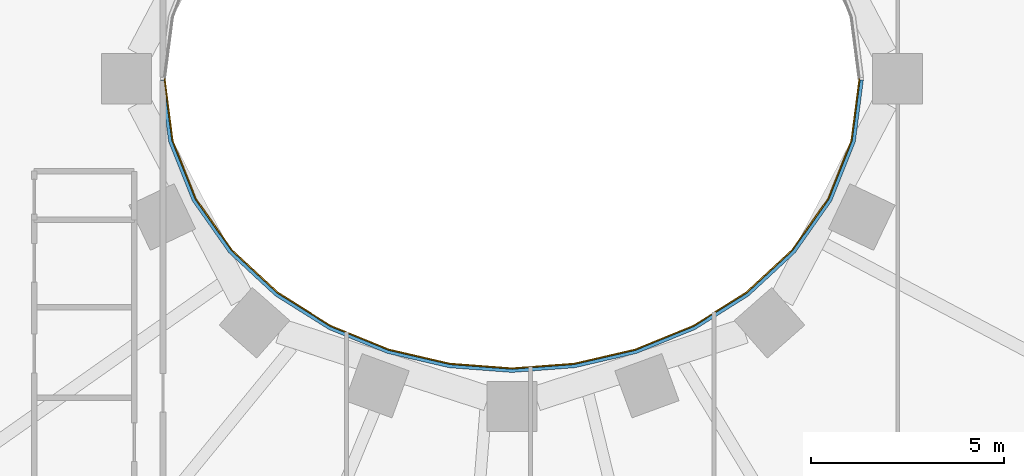
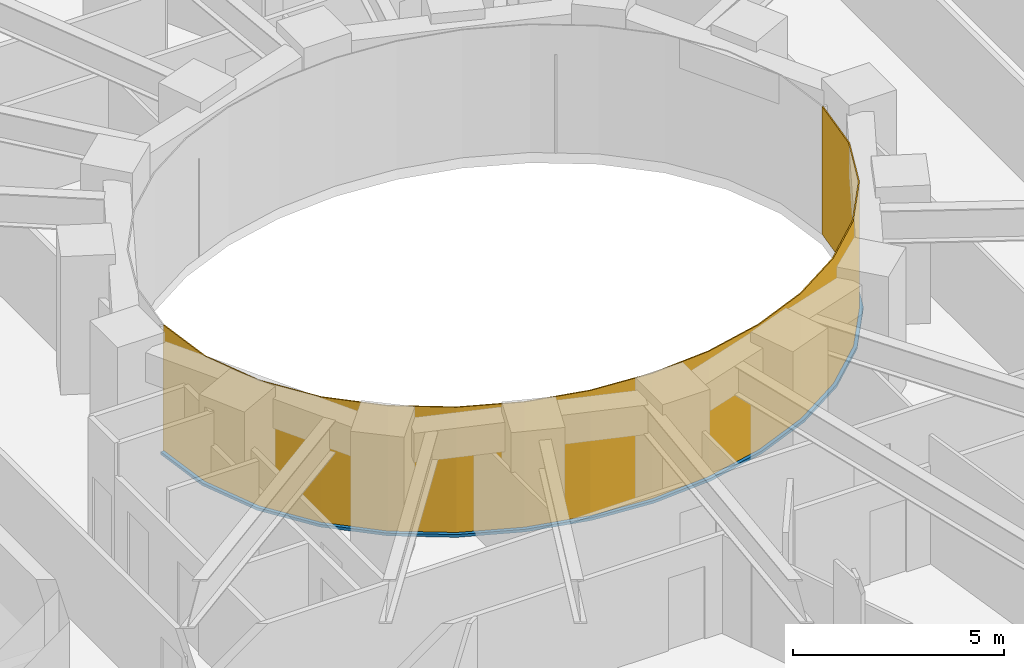
# One storey, part 10 of 16: 1 curtain wall, 1 member.
"""IFC4 building model written with IfcOpenShell, lengths in metres."""

from ifc_helpers import new_model, si_unit, direction, frame, origin, place, context, subcontext, project, spatial, polyline, outline, extrude, material, layer, layer_set, type_object, element, aggregate, save


model = new_model("IFC4")

# Units and contexts
model_context = context("Model", 3, precision=1e-05, world=origin(), true_north=direction((0.0, 1.0)))
body_context = subcontext(model_context, "Body", "Model", "MODEL_VIEW")
ifc_project = project(units=[si_unit("LENGTHUNIT", "METRE"), si_unit("AREAUNIT", "SQUARE_METRE"), si_unit("VOLUMEUNIT", "CUBIC_METRE"), si_unit("PLANEANGLEUNIT", "RADIAN"), si_unit("MASSUNIT", "GRAM", prefix="KILO")], contexts=[model_context])

# Member
ifc_material_1 = material(Name="Steel S355 fire-resisting frame", Category="steel")
member_type = type_object("IfcMemberType", Name="ENV-TRANSOM-W", PredefinedType="USERDEFINED", material=ifc_material_1)
site_placement = place(None, origin())
building_placement = place(site_placement, origin())
storey_placement = place(building_placement, frame((0.0, 0.0, 58.5)))
member_placement = place(storey_placement, origin())
member = element("IfcMember", 1, at=member_placement, type_object=member_type, Name="Transom W well 17-01", ObjectType="TRANSOM", PredefinedType="USERDEFINED", context=body_context, shape_type="SweptSolid", body=[
    extrude(outline(polyline([(-9.119384765625, -0.02783203125), (-8.910400390625, -1.63623046875), (-8.29833984375, -3.167236328125), (-7.35107421875, -4.5146484375), (-6.1455078125, -5.6337890625), (-4.75341796875, -6.50634765625), (-3.233642578125, -7.127685546875), (-1.635498046875, -7.498779296875), (0.0, -7.622314453125), (1.635498046875, -7.498779296875), (3.233642578125, -7.127685546875), (4.75341796875, -6.50634765625), (6.1455078125, -5.6337890625), (7.35107421875, -4.5146484375), (8.29833984375, -3.167236328125), (8.910400390625, -1.63623046875), (9.119384765625, -0.02783203125), (9.02880859375, -0.02783203125), (8.822509765625, -1.61328125), (8.21875, -3.124267578125), (7.282958984375, -4.455078125), (6.090576171875, -5.56201171875), (4.712158203125, -6.426025390625), (3.206298828125, -7.04150390625), (1.621826171875, -7.40966796875), (0.0, -7.531982421875), (-1.621826171875, -7.40966796875), (-3.206298828125, -7.04150390625), (-4.712158203125, -6.426025390625), (-6.090576171875, -5.56201171875), (-7.282958984375, -4.455078125), (-8.21875, -3.124267578125), (-8.822509765625, -1.61328125), (-9.02880859375, -0.02783203125), (-9.119384765625, -0.02783203125)])), origin(), (0.0, 0.0, 1.0), 0.080078125),
])

# Site, building, storey
site = spatial("IfcSite", under=ifc_project, at=site_placement, CompositionType="ELEMENT")
building = spatial("IfcBuilding", under=site, at=building_placement, Name="Noorbagh Ring Tower", CompositionType="ELEMENT")
storey = spatial("IfcBuildingStorey", under=building, at=storey_placement, Name="L12", CompositionType="ELEMENT", Elevation=58.5)

# Curtain wall
ifc_material_2 = material(Name="Glass fire-resisting E60 laminated", Category="glass")
ifc_layer = layer(ifc_material_2, 0.031982421875)
ifc_layer_set = layer_set([ifc_layer], Name="Glass fire-resisting E60 laminated")
curtain_wall_type = type_object("IfcCurtainWallType", Name="ENV-CW-W", PredefinedType="NOTDEFINED", material=ifc_layer_set)
curtain_wall_placement = place(storey_placement, origin())
curtain_wall = element("IfcCurtainWall", 2, at=curtain_wall_placement, inside=storey, type_object=curtain_wall_type, Name="Curtain wall W W17", PredefinedType="NOTDEFINED", context=body_context, shape_type="SweptSolid", body=[
    extrude(outline(polyline([(-9.0322265625, 0.0), (-8.822509765625, -1.61328125), (-8.21875, -3.124267578125), (-7.282958984375, -4.455078125), (-6.090576171875, -5.56201171875), (-4.712158203125, -6.426025390625), (-3.206298828125, -7.04150390625), (-1.621826171875, -7.40966796875), (0.0, -7.531982421875), (1.621826171875, -7.40966796875), (3.206298828125, -7.04150390625), (4.712158203125, -6.426025390625), (6.090576171875, -5.56201171875), (7.282958984375, -4.455078125), (8.21875, -3.124267578125), (8.822509765625, -1.61328125), (9.0322265625, 0.0), (9.0, 0.0), (8.79150390625, -1.605224609375), (8.1904296875, -3.10888671875), (7.2587890625, -4.43408203125), (6.071044921875, -5.53662109375), (4.697509765625, -6.3974609375), (3.196533203125, -7.010986328125), (1.6171875, -7.3779296875), (0.0, -7.5), (-1.6171875, -7.3779296875), (-3.196533203125, -7.010986328125), (-4.697509765625, -6.3974609375), (-6.071044921875, -5.53662109375), (-7.2587890625, -4.43408203125), (-8.1904296875, -3.10888671875), (-8.79150390625, -1.605224609375), (-9.0, 0.0), (-9.0322265625, 0.0)])), origin(), (0.0, 0.0, 1.0), 3.699951171875),
])

aggregate(curtain_wall, [member])

save(model, "model.ifc")
